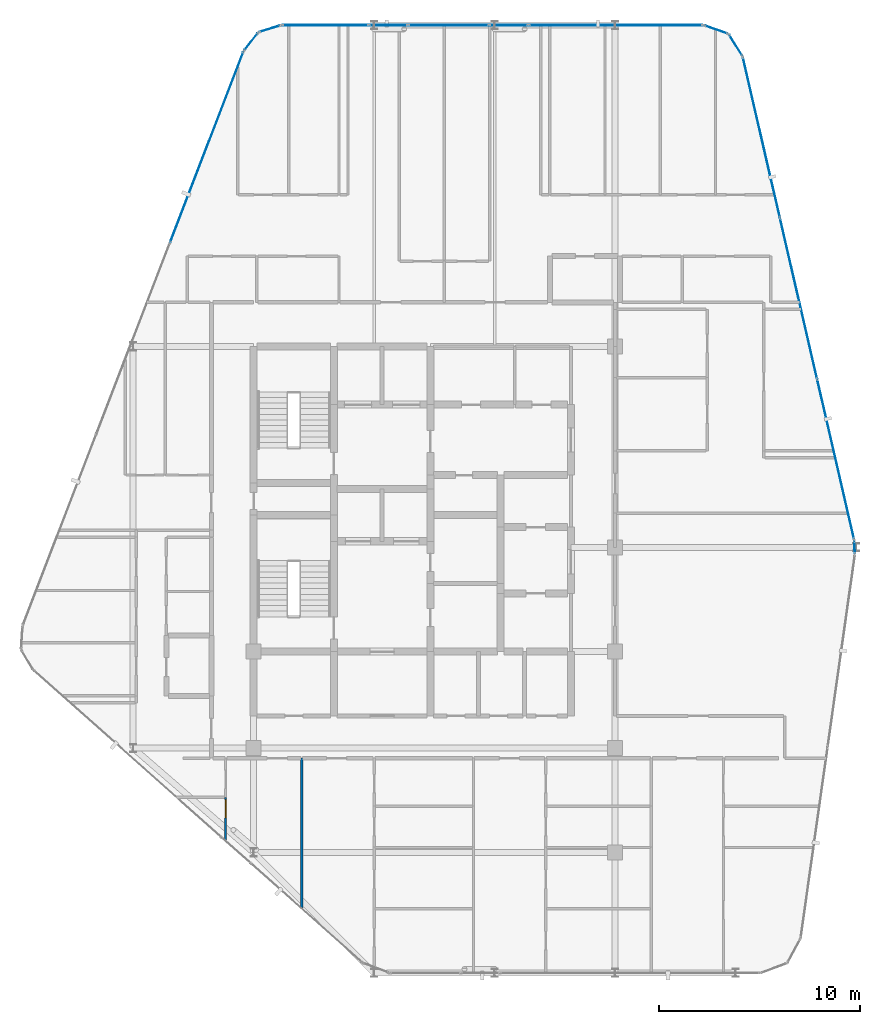
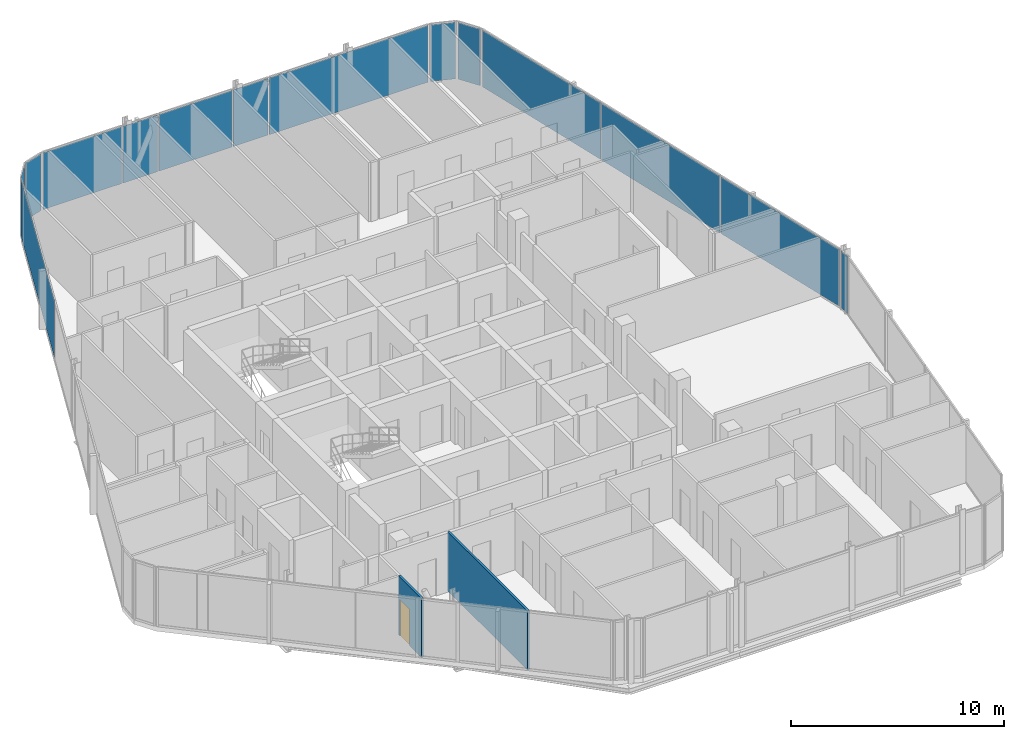
# One storey, part 21 of 28: 14 plates, 2 walls, 1 door, 1 opening, 12 elements without a shape of their own.
"""IFC4 building model written with IfcOpenShell, lengths in metres."""

from ifc_helpers import new_model, si_unit, direction, frame, frame_2d, origin, origin_2d, place, context, subcontext, project, spatial, rectangle, extrude, material, layer, layer_set, type_object, element, fill, aggregate, save


model = new_model("IFC4")

# Units and contexts
model_context = context("Model", 3, precision=1e-05, world=origin(), true_north=direction((0.0, 1.0)))
body_context = subcontext(model_context, "Body", "Model", "MODEL_VIEW")
ifc_project = project(units=[si_unit("LENGTHUNIT", "METRE"), si_unit("AREAUNIT", "SQUARE_METRE"), si_unit("VOLUMEUNIT", "CUBIC_METRE"), si_unit("PLANEANGLEUNIT", "RADIAN"), si_unit("MASSUNIT", "GRAM", prefix="KILO")], contexts=[model_context])

# Site, building, storey
site_placement = place(None, origin())
site = spatial("IfcSite", under=ifc_project, at=site_placement, CompositionType="ELEMENT")
building_placement = place(site_placement, origin())
building = spatial("IfcBuilding", under=site, at=building_placement, Name="Keshet Zoharim Tower", CompositionType="ELEMENT")
storey_placement = place(building_placement, frame((0.0, 0.0, 258.39990234375)))
storey = spatial("IfcBuildingStorey", under=building, at=storey_placement, Name="L64", CompositionType="ELEMENT", Elevation=258.39990234375)

# Curtain wall, plate
ifc_material_1 = material(Name="Aluminium 6063-T6", Category="aluminium")
ifc_layer_1 = layer(ifc_material_1, 0.260009765625)
ifc_layer_set_1 = layer_set([ifc_layer_1], Name="Aluminium 6063-T6")
curtain_wall_type = type_object("IfcCurtainWallType", Name="CW-SYS-06", PredefinedType="NOTDEFINED", material=ifc_layer_set_1)
curtain_wall_1_placement = place(storey_placement, origin())
curtain_wall_1 = element("IfcCurtainWall", 1, at=curtain_wall_1_placement, inside=storey, type_object=curtain_wall_type, Name="L64 Unitised Curtain Wall 03", PredefinedType="NOTDEFINED")
ifc_material_2 = material(Name="Insulated Low-E Clear Glass", Category="glass")
ifc_layer_2 = layer(ifc_material_2, 0.028076171875)
ifc_layer_set_2 = layer_set([ifc_layer_2], Name="Insulated Low-E Clear Glass")
plate_type_1 = type_object("IfcPlateType", Name="CWP-03", PredefinedType="CURTAIN_PANEL", material=ifc_layer_set_2)
plate_1_placement = place(storey_placement, frame((12.665771484375, 47.830810546875, 0.070068359375), z_axis=(0.0, 0.0, 1.0), x_axis=(0.358990003907, 0.933341404361, 0.0)))
plate_1 = element("IfcPlate", 2, at=plate_1_placement, type_object=plate_type_1, Name="CW-06 panel 3.1", PredefinedType="CURTAIN_PANEL", context=body_context, shape_type="SweptSolid", body=[
    extrude(rectangle(XDim=10.1181640625, YDim=0.028076171875, at=origin_2d()), origin(), (0.0, 0.0, 1.0), 3.25),
])
aggregate(curtain_wall_1, [plate_1])

curtain_wall_2_placement = place(storey_placement, origin())
curtain_wall_2 = element("IfcCurtainWall", 3, at=curtain_wall_2_placement, inside=storey, type_object=curtain_wall_type, Name="L64 Unitised Curtain Wall 04", PredefinedType="NOTDEFINED")
plate_2_placement = place(storey_placement, frame((14.8740234375, 53.08349609375, 0.070068359375), z_axis=(0.0, 0.0, 1.0), x_axis=(0.619124525989, 0.785292825205, 0.0)))
plate_2 = element("IfcPlate", 4, at=plate_2_placement, type_object=plate_type_1, Name="CW-06 panel 1.1", PredefinedType="CURTAIN_PANEL", context=body_context, shape_type="SweptSolid", body=[
    extrude(rectangle(XDim=1.045654296875, YDim=0.028076171875, at=origin_2d()), origin(), (0.0, 0.0, 1.0), 3.25),
])
aggregate(curtain_wall_2, [plate_2])

curtain_wall_3_placement = place(storey_placement, origin())
curtain_wall_3 = element("IfcCurtainWall", 5, at=curtain_wall_3_placement, inside=storey, type_object=curtain_wall_type, Name="L64 Unitised Curtain Wall 05", PredefinedType="NOTDEFINED")
plate_3_placement = place(storey_placement, frame((15.8076171875, 53.724609375, 0.070068359375), z_axis=(0.0, 0.0, 1.0), x_axis=(0.955212151288, 0.295921857984, 0.0)))
plate_3 = element("IfcPlate", 6, at=plate_3_placement, type_object=plate_type_1, Name="CW-06 panel 1.1", PredefinedType="CURTAIN_PANEL", context=body_context, shape_type="SweptSolid", body=[
    extrude(rectangle(XDim=1.046142578125, YDim=0.028076171875, at=origin_2d()), origin(), (0.0, 0.0, 1.0), 3.25),
])
aggregate(curtain_wall_3, [plate_3])

curtain_wall_4_placement = place(storey_placement, origin())
curtain_wall_4 = element("IfcCurtainWall", 7, at=curtain_wall_4_placement, inside=storey, type_object=curtain_wall_type, Name="L64 Unitised Curtain Wall 06", PredefinedType="NOTDEFINED")
plate_4_placement = place(storey_placement, frame((18.57470703125, 53.89990234375, 0.070068359375), z_axis=(0.0, 0.0, 1.0), x_axis=(1.0, 0.0, 0.0)))
plate_4 = element("IfcPlate", 8, at=plate_4_placement, type_object=plate_type_1, Name="CW-06 panel 1.1", PredefinedType="CURTAIN_PANEL", context=body_context, shape_type="SweptSolid", body=[
    extrude(rectangle(XDim=4.26123046875, YDim=0.028076171875, at=origin_2d()), origin(), (0.0, 0.0, 1.0), 3.25),
])
aggregate(curtain_wall_4, [plate_4])

curtain_wall_5_placement = place(storey_placement, origin())
curtain_wall_5 = element("IfcCurtainWall", 9, at=curtain_wall_5_placement, inside=storey, type_object=curtain_wall_type, Name="L64 Unitised Curtain Wall 06 Part 3", PredefinedType="NOTDEFINED")
plate_5_placement = place(storey_placement, frame((24.715087890625, 53.89990234375, 0.070068359375), z_axis=(0.0, 0.0, 1.0), x_axis=(1.0, 0.0, 0.0)))
plate_5 = element("IfcPlate", 10, at=plate_5_placement, type_object=plate_type_1, Name="CW-06 panel 1.1", PredefinedType="CURTAIN_PANEL", context=body_context, shape_type="SweptSolid", body=[
    extrude(rectangle(XDim=3.98046875, YDim=0.028076171875, at=origin_2d()), origin(), (0.0, 0.0, 1.0), 3.25),
])
aggregate(curtain_wall_5, [plate_5])

curtain_wall_6_placement = place(storey_placement, origin())
curtain_wall_6 = element("IfcCurtainWall", 11, at=curtain_wall_6_placement, inside=storey, type_object=curtain_wall_type, Name="L64 Unitised Curtain Wall 06 Part 5", PredefinedType="NOTDEFINED")
plate_6_placement = place(storey_placement, frame((33.031982421875, 53.89990234375, 0.070068359375), z_axis=(0.0, 0.0, 1.0), x_axis=(1.0, 0.0, 0.0)))
plate_6 = element("IfcPlate", 12, at=plate_6_placement, type_object=plate_type_1, Name="CW-06 panel 1.1", PredefinedType="CURTAIN_PANEL", context=body_context, shape_type="SweptSolid", body=[
    extrude(rectangle(XDim=8.6142578125, YDim=0.028076171875, at=origin_2d()), origin(), (0.0, 0.0, 1.0), 3.25),
])
aggregate(curtain_wall_6, [plate_6])

curtain_wall_7_placement = place(storey_placement, origin())
curtain_wall_7 = element("IfcCurtainWall", 13, at=curtain_wall_7_placement, inside=storey, type_object=curtain_wall_type, Name="L64 Unitised Curtain Wall 07", PredefinedType="NOTDEFINED")
plate_7_placement = place(storey_placement, frame((38.031494140625, 53.6826171875, 0.070068359375), z_axis=(0.0, 0.0, 1.0), x_axis=(0.944035542119, -0.329843743636, 0.0)))
plate_7 = element("IfcPlate", 14, at=plate_7_placement, type_object=plate_type_1, Name="CW-06 panel 1.1", PredefinedType="CURTAIN_PANEL", context=body_context, shape_type="SweptSolid", body=[
    extrude(rectangle(XDim=1.1787109375, YDim=0.028076171875, at=origin_2d()), origin(), (0.0, 0.0, 1.0), 3.25),
])
aggregate(curtain_wall_7, [plate_7])

curtain_wall_8_placement = place(storey_placement, origin())
curtain_wall_8 = element("IfcCurtainWall", 15, at=curtain_wall_8_placement, inside=storey, type_object=curtain_wall_type, Name="L64 Unitised Curtain Wall 08", PredefinedType="NOTDEFINED")
plate_8_placement = place(storey_placement, frame((39.006103515625, 52.907470703125, 0.070068359375), z_axis=(0.0, 0.0, 1.0), x_axis=(0.533878858502, -0.845560976183, 0.0)))
plate_8 = element("IfcPlate", 16, at=plate_8_placement, type_object=plate_type_1, Name="CW-06 panel 1.1", PredefinedType="CURTAIN_PANEL", context=body_context, shape_type="SweptSolid", body=[
    extrude(rectangle(XDim=1.1787109375, YDim=0.028076171875, at=origin_2d()), origin(), (0.0, 0.0, 1.0), 3.25),
])
aggregate(curtain_wall_8, [plate_8])

# Curtain wall, plates
curtain_wall_9_placement = place(storey_placement, origin())
curtain_wall_9 = element("IfcCurtainWall", 17, at=curtain_wall_9_placement, inside=storey, type_object=curtain_wall_type, Name="L64 Unitised Curtain Wall 09", PredefinedType="NOTDEFINED")
plate_9_placement = place(storey_placement, frame((40.288330078125, 48.318359375, 0.070068359375), z_axis=(0.0, 0.0, 1.0), x_axis=(0.224829963294, -0.974398012932, 0.0)))
plate_9 = element("IfcPlate", 18, at=plate_9_placement, type_object=plate_type_1, Name="CW-06 panel 1.1", PredefinedType="CURTAIN_PANEL", context=body_context, shape_type="SweptSolid", body=[
    extrude(rectangle(XDim=8.13525390625, YDim=0.028076171875, at=origin_2d()), origin(), (0.0, 0.0, 1.0), 3.25),
])
plate_10_placement = place(storey_placement, frame((42.136962890625, 40.305908203125, 0.070068359375), z_axis=(0.0, 0.0, 1.0), x_axis=(0.224829963294, -0.974398012932, 0.0)))
plate_10 = element("IfcPlate", 19, at=plate_10_placement, type_object=plate_type_1, Name="CW-06 panel 2.1", PredefinedType="CURTAIN_PANEL", context=body_context, shape_type="SweptSolid", body=[
    extrude(rectangle(XDim=8.17041015625, YDim=0.028076171875, at=origin_2d()), origin(), (0.0, 0.0, 1.0), 3.25),
])
plate_11_placement = place(storey_placement, frame((43.98583984375, 32.293701171875, 0.070068359375), z_axis=(0.0, 0.0, 1.0), x_axis=(0.224829963294, -0.974398012932, 0.0)))
plate_11 = element("IfcPlate", 20, at=plate_11_placement, type_object=plate_type_1, Name="CW-06 panel 3.1", PredefinedType="CURTAIN_PANEL", context=body_context, shape_type="SweptSolid", body=[
    extrude(rectangle(XDim=8.13525390625, YDim=0.028076171875, at=origin_2d()), origin(), (0.0, 0.0, 1.0), 3.25),
])
aggregate(curtain_wall_9, [plate_9, plate_10, plate_11])

# Curtain wall, plate
curtain_wall_10_placement = place(storey_placement, origin())
curtain_wall_10 = element("IfcCurtainWall", 21, at=curtain_wall_10_placement, inside=storey, type_object=curtain_wall_type, Name="L64 Unitised Curtain Wall 10", PredefinedType="NOTDEFINED")
plate_12_placement = place(storey_placement, frame((44.931884765625, 27.89697265625, 0.070068359375), z_axis=(0.0, 0.0, 1.0), x_axis=(0.043793560626, -0.999040601801, 0.0)))
plate_12 = element("IfcPlate", 22, at=plate_12_placement, type_object=plate_type_1, Name="CW-06 panel 1.1", PredefinedType="CURTAIN_PANEL", context=body_context, shape_type="SweptSolid", body=[
    extrude(rectangle(XDim=0.5908203125, YDim=0.028076171875, at=origin_2d()), origin(), (0.0, 0.0, 1.0), 3.25),
])
aggregate(curtain_wall_10, [plate_12])

curtain_wall_11_placement = place(storey_placement, origin())
curtain_wall_11 = element("IfcCurtainWall", 23, at=curtain_wall_11_placement, inside=storey, type_object=curtain_wall_type, Name="L64 Unitised Curtain Wall 06 Part 2", PredefinedType="NOTDEFINED")
ifc_material_3 = material(Name="Insulated Aluminium Spandrel Panel", Category="aluminium")
ifc_layer_3 = layer(ifc_material_3, 0.028076171875)
ifc_layer_set_3 = layer_set([ifc_layer_3], Name="Insulated Aluminium Spandrel Panel")
plate_type_2 = type_object("IfcPlateType", Name="CWP-06", PredefinedType="CURTAIN_PANEL", material=ifc_layer_set_3)
plate_13_placement = place(storey_placement, frame((21.715087890625, 53.89990234375, 0.070068359375), z_axis=(0.0, 0.0, 1.0), x_axis=(1.0, 0.0, 0.0)))
plate_13 = element("IfcPlate", 24, at=plate_13_placement, type_object=plate_type_2, Name="CW-06 spandrel panel 1.1", PredefinedType="CURTAIN_PANEL", context=body_context, shape_type="SweptSolid", body=[
    extrude(rectangle(XDim=1.879638671875, YDim=0.028076171875, at=origin_2d()), origin(), (0.0, 0.0, 1.0), 3.25),
])
aggregate(curtain_wall_11, [plate_13])

curtain_wall_12_placement = place(storey_placement, origin())
curtain_wall_12 = element("IfcCurtainWall", 25, at=curtain_wall_12_placement, inside=storey, type_object=curtain_wall_type, Name="L64 Unitised Curtain Wall 06 Part 4", PredefinedType="NOTDEFINED")
plate_14_placement = place(storey_placement, frame((27.715087890625, 53.89990234375, 0.070068359375), z_axis=(0.0, 0.0, 1.0), x_axis=(1.0, 0.0, 0.0)))
plate_14 = element("IfcPlate", 26, at=plate_14_placement, type_object=plate_type_2, Name="CW-06 spandrel panel 1.1", PredefinedType="CURTAIN_PANEL", context=body_context, shape_type="SweptSolid", body=[
    extrude(rectangle(XDim=1.879638671875, YDim=0.028076171875, at=origin_2d()), origin(), (0.0, 0.0, 1.0), 3.25),
])
aggregate(curtain_wall_12, [plate_14])

# Wall
ifc_material_4 = material(Name="Gypsum Plasterboard", Category="gypsum")
ifc_layer_4 = layer(ifc_material_4, 0.1201171875)
ifc_layer_set_4 = layer_set([ifc_layer_4], Name="Gypsum Plasterboard")
wall_type_1 = type_object("IfcWallType", Name="WL-PART-120", PredefinedType="PARTITIONING", material=ifc_layer_set_4)
wall_1_placement = place(storey_placement, frame((17.39990234375, 9.909912109375, 0.0), z_axis=(0.0, 0.0, 1.0), x_axis=(0.0, 1.0, 0.0)))
element("IfcWall", 27, at=wall_1_placement, inside=storey, type_object=wall_type_1, Name="L64 Interior Wall 026", PredefinedType="PARTITIONING", context=body_context, shape_type="SweptSolid", body=[
    extrude(rectangle(XDim=7.489990234375, YDim=0.1201171875, at=frame_2d((3.7451171875, 0.0))), origin(), (0.0, 0.0, 1.0), 3.39013671875),
])

# Wall, opening, door
ifc_layer_5 = layer(ifc_material_4, 0.1201171875)
ifc_layer_set_5 = layer_set([ifc_layer_5], Name="Gypsum Plasterboard")
wall_type_2 = type_object("IfcWallType", Name="WL-WET-120", PredefinedType="PARTITIONING", material=ifc_layer_set_5)
wall_2_placement = place(storey_placement, frame((13.60009765625, 13.2880859375, 0.0), z_axis=(0.0, 0.0, 1.0), x_axis=(0.0, 1.0, 0.0)))
wall_2 = element("IfcWall", 28, at=wall_2_placement, inside=storey, type_object=wall_type_2, Name="L64 Interior Wall 017", PredefinedType="PARTITIONING", context=body_context, shape_type="SweptSolid", body=[
    extrude(rectangle(XDim=2.161865234375, YDim=0.1201171875, at=frame_2d((1.0810546875, 0.0))), origin(), (0.0, 0.0, 1.0), 3.39013671875),
])
opening_placement = place(wall_2_placement, frame((1.14208984375, 0.0, 0.0)))
opening = element("IfcOpeningElement", 29, at=opening_placement, cuts=wall_2, Name="Opening D-WT90", PredefinedType="OPENING", context=body_context, shape_type="SweptSolid", body=[
    extrude(rectangle(XDim=0.89990234375, YDim=2.10009765625, at=frame_2d((0.449951171875, 1.050048828125))), frame((0.0, 0.070068359375, 0.0), z_axis=(0.0, -1.0, 0.0), x_axis=(1.0, 0.0, 0.0)), (0.0, 0.0, 1.0), 0.14013671875),
])
ifc_material_5 = material(Name="Hardwood Timber", Category="wood")
door_type = type_object("IfcDoorType", Name="DR-WET-090", OperationType="NOTDEFINED", PredefinedType="DOOR", material=ifc_material_5)
door_placement = place(opening_placement, origin())
door = element("IfcDoor", 30, at=door_placement, inside=storey, type_object=door_type, Name="Apartment 6401 Bathroom Door", OperationType="SINGLE_SWING_RIGHT", OverallHeight=2.10009765625, OverallWidth=0.89990234375, PredefinedType="DOOR", context=body_context, shape_type="SweptSolid", body=[
    extrude(rectangle(XDim=0.89990234375, YDim=2.10009765625, at=frame_2d((0.449951171875, 1.050048828125))), frame((0.0, 0.02490234375, 0.0), z_axis=(0.0, -1.0, 0.0), x_axis=(1.0, 0.0, 0.0)), (0.0, 0.0, 1.0), 0.050048828125),
])
fill(opening, door)

save(model, "model.ifc")
